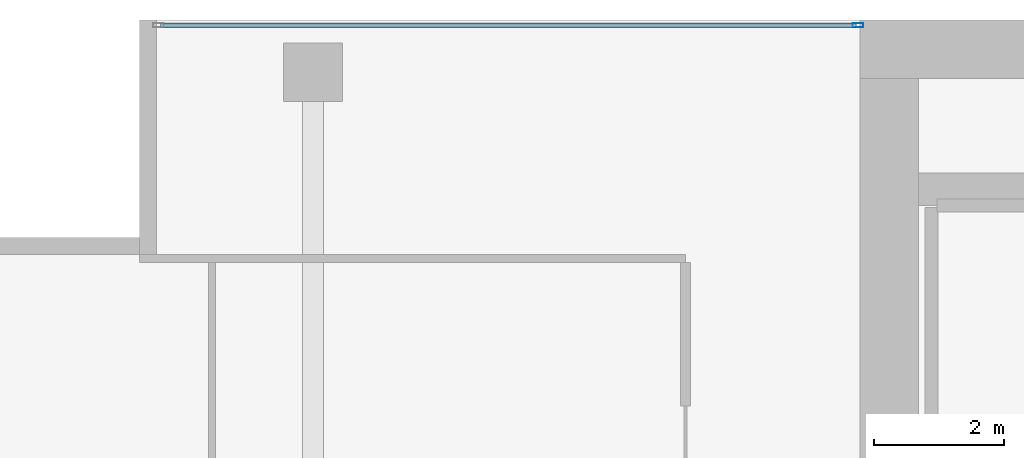
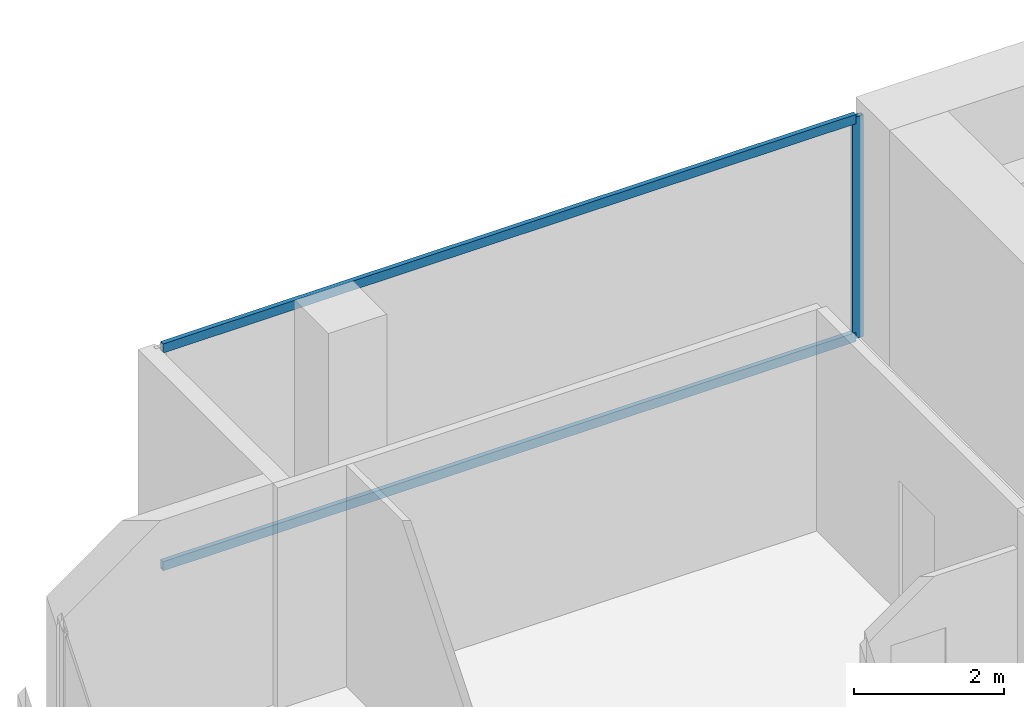
# One storey, part 26 of 40: 3 members, 1 element without a shape of its own.
"""IFC4 building model written with IfcOpenShell, lengths in metres."""

from ifc_helpers import new_model, si_unit, direction, frame, origin, origin_2d, place, context, subcontext, project, spatial, hollow_rectangle, extrude, material, layer, layer_set, material_profile, profile_set, type_object, element, aggregate, save


model = new_model("IFC4")

# Units and contexts
model_context = context("Model", 3, precision=1e-05, world=origin(), true_north=direction((0.0, 1.0)))
body_context = subcontext(model_context, "Body", "Model", "MODEL_VIEW")
ifc_project = project(units=[si_unit("LENGTHUNIT", "METRE"), si_unit("AREAUNIT", "SQUARE_METRE"), si_unit("VOLUMEUNIT", "CUBIC_METRE"), si_unit("PLANEANGLEUNIT", "RADIAN"), si_unit("MASSUNIT", "GRAM", prefix="KILO")], contexts=[model_context])

# Site, building, storey
site_placement = place(None, origin())
site = spatial("IfcSite", under=ifc_project, at=site_placement, CompositionType="ELEMENT")
building_placement = place(site_placement, origin())
building = spatial("IfcBuilding", under=site, at=building_placement, Name="Maruvema Waterfront Hotel and Observation Tower", CompositionType="ELEMENT")
storey_placement = place(building_placement, frame((0.0, 0.0, 92.39990234375)))
storey = spatial("IfcBuildingStorey", under=building, at=storey_placement, Name="L22", CompositionType="ELEMENT", Elevation=92.39990234375)

# Curtain wall, members
ifc_material_1 = material(Name="Anodised bronze aluminium and solar-control low-E IGU", Category="aluminium")
ifc_layer = layer(ifc_material_1, 0.159912109375, Name="Zone 1 Bronze Inner Thermal Curtain Wall System CW-02")
ifc_layer_set = layer_set([ifc_layer], Name="Anodised bronze aluminium and solar-control low-E IGU")
curtain_wall_type = type_object("IfcCurtainWallType", Name="Zone 1 Bronze Inner Thermal Curtain Wall System CW-02", PredefinedType="USERDEFINED", material=ifc_layer_set)
curtain_wall_placement = place(storey_placement, origin())
curtain_wall = element("IfcCurtainWall", 1, at=curtain_wall_placement, inside=storey, type_object=curtain_wall_type, Name="L22 Curtain Wall CW-L22-NW", ObjectType="UNITISED CURTAIN WALL", PredefinedType="USERDEFINED")
ifc_material_2 = material(Name="Anodised architectural bronze aluminium", Category="aluminium")
ifc_material_profile_1 = material_profile(ifc_material_2, hollow_rectangle(XDim=0.070068359375, YDim=0.14990234375, WallThickness=0.00390625, at=origin_2d()), Name="ALU-T70x150")
ifc_profile_set_1 = profile_set([ifc_material_profile_1], Name="Anodised architectural bronze aluminium")
member_type_1 = type_object("IfcMemberType", Name="Curtain Wall Horizontal Transom ALU-T70x150", PredefinedType="USERDEFINED", material=ifc_profile_set_1)
member_1_placement = place(storey_placement, frame((25.139892578125, 53.919921875, 0.030029296875), z_axis=(-1.0, 0.0, 0.0), x_axis=(0.0, -1.0, 0.0)))
member_1 = element("IfcMember", 2, at=member_1_placement, type_object=member_type_1, Name="CW-02 transom 1.1", ObjectType="TRANSOM", PredefinedType="USERDEFINED", context=body_context, shape_type="SweptSolid", body=[
    extrude(hollow_rectangle(XDim=0.070068359375, YDim=0.14990234375, WallThickness=0.00390625, at=origin_2d()), origin(), (0.0, 0.0, 1.0), 10.679931640625),
])
member_2_placement = place(storey_placement, frame((25.139892578125, 53.919921875, 3.580078125), z_axis=(-1.0, 0.0, 0.0), x_axis=(0.0, -1.0, 0.0)))
member_2 = element("IfcMember", 3, at=member_2_placement, type_object=member_type_1, Name="CW-02 transom 1.2", ObjectType="TRANSOM", PredefinedType="USERDEFINED", context=body_context, shape_type="SweptSolid", body=[
    extrude(hollow_rectangle(XDim=0.070068359375, YDim=0.14990234375, WallThickness=0.00390625, at=origin_2d()), origin(), (0.0, 0.0, 1.0), 10.679931640625),
])
ifc_material_3 = material(Name="Anodised architectural bronze aluminium", Category="aluminium")
ifc_material_profile_2 = material_profile(ifc_material_3, hollow_rectangle(XDim=0.06494140625, YDim=0.1650390625, WallThickness=0.00390625, at=origin_2d()), Name="ALU-M65x165")
ifc_profile_set_2 = profile_set([ifc_material_profile_2], Name="Anodised architectural bronze aluminium")
member_type_2 = type_object("IfcMemberType", Name="Curtain Wall Primary Mullion ALU-M65x165", PredefinedType="MULLION", material=ifc_profile_set_2)
member_3_placement = place(storey_placement, frame((25.169921875, 53.919921875, 0.0), z_axis=(0.0, 0.0, 1.0), x_axis=(0.0, -1.0, 0.0)))
member_3 = element("IfcMember", 4, at=member_3_placement, type_object=member_type_2, Name="CW-02 mullion 1", PredefinedType="MULLION", context=body_context, shape_type="SweptSolid", body=[
    extrude(hollow_rectangle(XDim=0.06494140625, YDim=0.1650390625, WallThickness=0.00390625, at=origin_2d()), origin(), (0.0, 0.0, 1.0), 3.610107421875),
])
aggregate(curtain_wall, [member_3, member_1, member_2])

save(model, "model.ifc")
